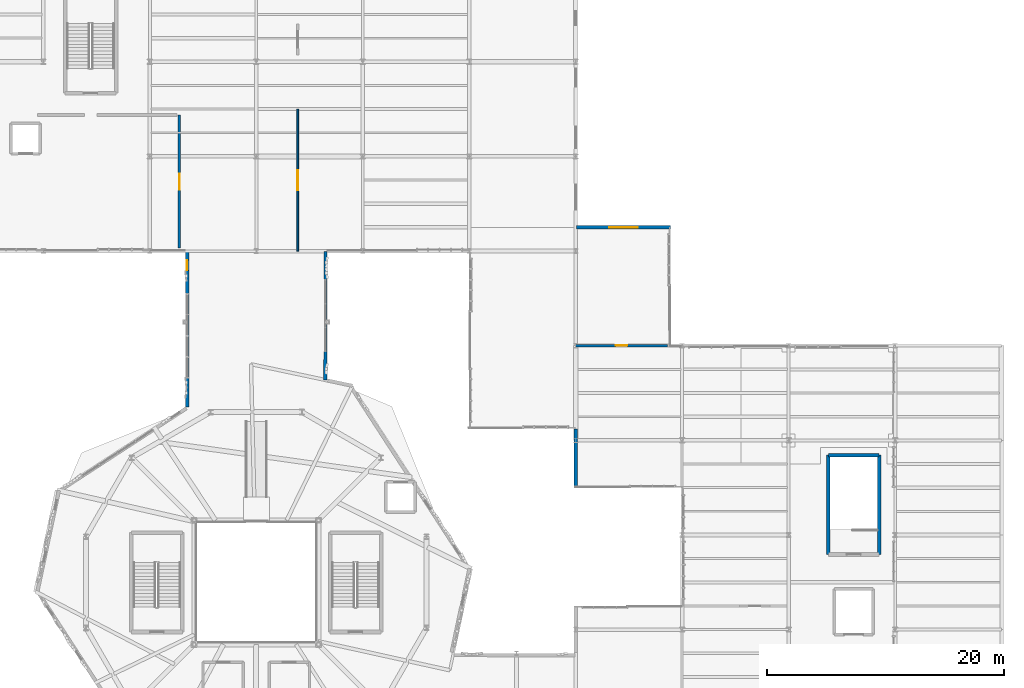
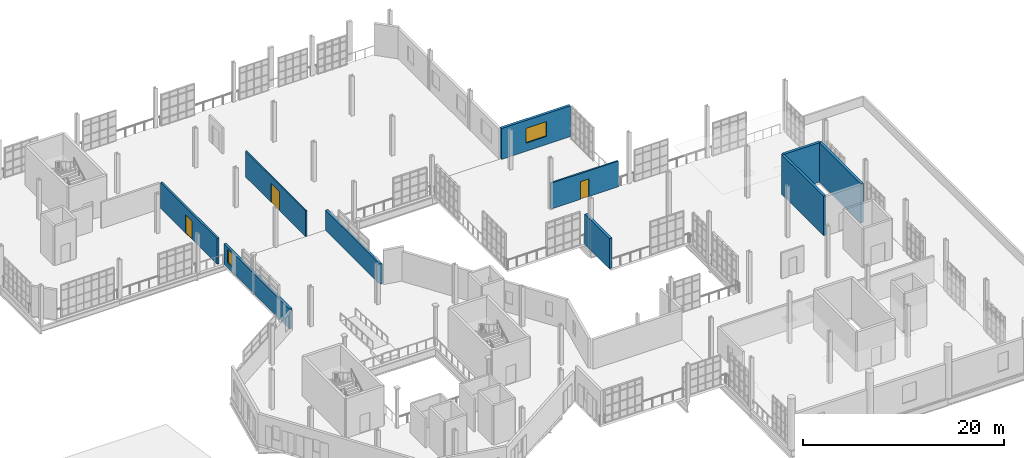
# One storey, part 105 of 118: 10 walls, 3 doors, 2 windows, 5 openings.
"""IFC4 building model written with IfcOpenShell, lengths in metres."""

from ifc_helpers import new_model, si_unit, direction, frame, frame_2d, origin, place, context, subcontext, project, spatial, rectangle, extrude, material, layer, layer_set, type_object, element, fill, save


model = new_model("IFC4")

# Units and contexts
model_context = context("Model", 3, precision=1e-05, world=origin(), true_north=direction((0.0, 1.0)))
body_context = subcontext(model_context, "Body", "Model", "MODEL_VIEW")
ifc_project = project(units=[si_unit("LENGTHUNIT", "METRE"), si_unit("AREAUNIT", "SQUARE_METRE"), si_unit("VOLUMEUNIT", "CUBIC_METRE"), si_unit("PLANEANGLEUNIT", "RADIAN"), si_unit("MASSUNIT", "GRAM", prefix="KILO"), si_unit("THERMODYNAMICTEMPERATUREUNIT", "KELVIN"), si_unit("POWERUNIT", "WATT")], contexts=[model_context])

# Site, building, storey
site_placement = place(None, origin())
site = spatial("IfcSite", under=ifc_project, at=site_placement, CompositionType="ELEMENT")
building_placement = place(site_placement, origin())
building = spatial("IfcBuilding", under=site, at=building_placement, Name="Zelmaris Science Centre", CompositionType="ELEMENT")
storey_placement = place(building_placement, frame((0.0, 0.0, 15.60009765625)))
storey = spatial("IfcBuildingStorey", under=building, at=storey_placement, Name="L03", CompositionType="ELEMENT", Elevation=15.60009765625)

# Walls
ifc_material_1 = material(Name="Concrete C40/50", Category="concrete")
ifc_layer_1 = layer(ifc_material_1, 0.300048828125, Name="Concrete C40/50")
ifc_layer_set_1 = layer_set([ifc_layer_1], Name="Concrete C40/50")
wall_type_1 = type_object("IfcWallType", Name="Core Shear Wall CW-S1 300mm", PredefinedType="SOLIDWALL", material=ifc_layer_set_1)
wall_1_placement = place(storey_placement, frame((133.64990234375, 38.35009765625, 0.0), z_axis=(0.0, 0.0, 1.0), x_axis=(0.0, 1.0, 0.0)))
element("IfcWall", 1, at=wall_1_placement, inside=storey, type_object=wall_type_1, Name="L03 ST-5 core shear wall east", PredefinedType="SOLIDWALL", context=body_context, shape_type="SweptSolid", body=[
    extrude(rectangle(XDim=8.39990234375, YDim=0.300048828125, at=frame_2d((4.199951171875, 0.0))), origin(), (0.0, 0.0, 1.0), 4.7998046875),
])
wall_2_placement = place(storey_placement, frame((133.64990234375, 46.75, 0.0), z_axis=(0.0, 0.0, 1.0), x_axis=(-1.0, 0.0, 0.0)))
element("IfcWall", 2, at=wall_2_placement, inside=storey, type_object=wall_type_1, Name="L03 ST-5 core shear wall far", PredefinedType="SOLIDWALL", context=body_context, shape_type="SweptSolid", body=[
    extrude(rectangle(XDim=4.2998046875, YDim=0.300048828125, at=frame_2d((2.14990234375, 0.0))), origin(), (0.0, 0.0, 1.0), 4.7998046875),
])
wall_3_placement = place(storey_placement, frame((129.35009765625, 38.35009765625, 0.0), z_axis=(0.0, 0.0, 1.0), x_axis=(0.0, 1.0, 0.0)))
element("IfcWall", 3, at=wall_3_placement, inside=storey, type_object=wall_type_1, Name="L03 ST-5 core shear wall west", PredefinedType="SOLIDWALL", context=body_context, shape_type="SweptSolid", body=[
    extrude(rectangle(XDim=8.39990234375, YDim=0.300048828125, at=frame_2d((4.199951171875, 0.0))), origin(), (0.0, 0.0, 1.0), 4.7998046875),
])

# Wall, opening, window
ifc_material_2 = material(Name="Precast concrete C40/50", Category="concrete")
ifc_layer_2 = layer(ifc_material_2, 0.300048828125, Name="Precast concrete C40/50")
ifc_layer_set_2 = layer_set([ifc_layer_2], Name="Precast concrete C40/50")
wall_type_2 = type_object("IfcWallType", Name="Exterior Wall EW-04 300mm", PredefinedType="SOLIDWALL", material=ifc_layer_set_2)
wall_4_placement = place(storey_placement, frame((108.06005859375, 66.0, 0.0), z_axis=(0.0, 0.0, 1.0), x_axis=(1.0, 0.0, 0.0)))
wall_4 = element("IfcWall", 4, at=wall_4_placement, inside=storey, type_object=wall_type_2, Name="L03 Exterior wall 121", PredefinedType="SOLIDWALL", context=body_context, shape_type="SweptSolid", body=[
    extrude(rectangle(XDim=7.93994140625, YDim=0.300048828125, at=frame_2d((3.969970703125, 0.0))), origin(), (0.0, 0.0, 1.0), 3.7578125),
])
opening_1_placement = place(wall_4_placement, frame((2.77001953125, 0.0, 1.0)))
opening_1 = element("IfcOpeningElement", 5, at=opening_1_placement, cuts=wall_4, Name="Opening W-05", PredefinedType="OPENING", context=body_context, shape_type="SweptSolid", body=[
    extrude(rectangle(XDim=2.39990234375, YDim=1.800048828125, at=frame_2d((1.199951171875, 0.89990234375))), frame((0.0, 0.159912109375, 0.0), z_axis=(0.0, -1.0, 0.0), x_axis=(1.0, 0.0, 0.0)), (0.0, 0.0, 1.0), 0.320068359375),
])
ifc_material_3 = material(Name="Laminated hurricane-rated low-E insulated glazing", Category="glass")
window_type_1 = type_object("IfcWindowType", Name="Window W-05 2400x1800", PartitioningType="SINGLE_PANEL", PredefinedType="WINDOW", material=ifc_material_3)
window_1_placement = place(opening_1_placement, origin())
window_1 = element("IfcWindow", 6, at=window_1_placement, inside=storey, type_object=window_type_1, Name="L03 Facade window 77", OverallHeight=1.800048828125, OverallWidth=2.39990234375, PartitioningType="SINGLE_PANEL", PredefinedType="WINDOW", context=body_context, shape_type="SweptSolid", body=[
    extrude(rectangle(XDim=2.39990234375, YDim=1.800048828125, at=frame_2d((1.199951171875, 0.89990234375))), frame((0.0, 0.030029296875, 0.0), z_axis=(0.0, -1.0, 0.0), x_axis=(1.0, 0.0, 0.0)), (0.0, 0.0, 1.0), 0.06005859375),
])
fill(opening_1, window_1)

# Wall
wall_5_placement = place(storey_placement, frame((108.0, 44.0, 0.0), z_axis=(0.0, 0.0, 1.0), x_axis=(0.0, 1.0, 0.0)))
element("IfcWall", 7, at=wall_5_placement, inside=storey, type_object=wall_type_2, Name="L03 Exterior wall 135", PredefinedType="SOLIDWALL", context=body_context, shape_type="SweptSolid", body=[
    extrude(rectangle(XDim=4.93994140625, YDim=0.300048828125, at=frame_2d((2.469970703125, 0.0))), origin(), (0.0, 0.0, 1.0), 3.673828125),
])

# Wall, opening, window
ifc_layer_3 = layer(ifc_material_2, 0.280029296875, Name="Precast concrete C40/50")
ifc_layer_set_3 = layer_set([ifc_layer_3], Name="Precast concrete C40/50")
wall_type_3 = type_object("IfcWallType", Name="Exterior Wall EW-05 280mm", PredefinedType="SOLIDWALL", material=ifc_layer_set_3)
wall_6_placement = place(storey_placement, frame((75.1552734375, 50.839111328125, 0.0), z_axis=(0.0, 0.0, 1.0), x_axis=(1.8602921e-05, 0.999999999827, 0.0)))
wall_6 = element("IfcWall", 8, at=wall_6_placement, inside=storey, type_object=wall_type_3, Name="L03 Exterior wall 129", PredefinedType="SOLIDWALL", context=body_context, shape_type="SweptSolid", body=[
    extrude(rectangle(XDim=13.123779296875, YDim=0.280029296875, at=frame_2d((6.56201171875, 0.0))), origin(), (0.0, 0.0, 1.0), 2.449951171875),
])
opening_2_placement = place(wall_6_placement, frame((11.536865234375, 0.0, 0.60009765625)))
opening_2 = element("IfcOpeningElement", 9, at=opening_2_placement, cuts=wall_6, Name="Opening W-TR3", PredefinedType="OPENING", context=body_context, shape_type="SweptSolid", body=[
    extrude(rectangle(XDim=0.85009765625, YDim=1.60009765625, at=frame_2d((0.425048828125, 0.800048828125))), frame((0.0, 0.14990234375, 0.0), z_axis=(0.0, -1.0, 0.0), x_axis=(1.0, 0.0, 0.0)), (0.0, 0.0, 1.0), 0.300048828125),
])
window_type_2 = type_object("IfcWindowType", Name="Window W-TR3 850x1600", PartitioningType="SINGLE_PANEL", PredefinedType="WINDOW", material=ifc_material_3)
window_2_placement = place(opening_2_placement, origin())
window_2 = element("IfcWindow", 10, at=window_2_placement, inside=storey, type_object=window_type_2, Name="L03 Triangular faceted window 90", OverallHeight=1.60009765625, OverallWidth=0.85009765625, PartitioningType="SINGLE_PANEL", PredefinedType="WINDOW", context=body_context, shape_type="SweptSolid", body=[
    extrude(rectangle(XDim=0.85009765625, YDim=1.60009765625, at=frame_2d((0.425048828125, 0.800048828125))), frame((0.0, 0.030029296875, 0.0), z_axis=(0.0, -1.0, 0.0), x_axis=(1.0, 0.0, 0.0)), (0.0, 0.0, 1.0), 0.06005859375),
])
fill(opening_2, window_2)

# Wall
wall_7_placement = place(storey_placement, frame((86.853515625, 63.978271484375, 0.0), z_axis=(0.0, 0.0, 1.0), x_axis=(-0.001144986004, -0.999999344503, 0.0)))
element("IfcWall", 11, at=wall_7_placement, inside=storey, type_object=wall_type_3, Name="L03 Exterior wall 136", PredefinedType="SOLIDWALL", context=body_context, shape_type="SweptSolid", body=[
    extrude(rectangle(XDim=10.87451171875, YDim=0.280029296875, at=frame_2d((5.437255859375, 0.0))), origin(), (0.0, 0.0, 1.0), 2.449951171875),
])

# Wall, opening, door
ifc_material_4 = material(Name="Autoclaved aerated concrete blockwork", Category="masonry")
ifc_layer_4 = layer(ifc_material_4, 0.219970703125, Name="Autoclaved aerated concrete blockwork")
ifc_layer_set_4 = layer_set([ifc_layer_4], Name="Autoclaved aerated concrete blockwork")
wall_type_4 = type_object("IfcWallType", Name="Interior Wall FW-02 220mm", PredefinedType="SOLIDWALL", material=ifc_layer_set_4)
wall_8_placement = place(storey_placement, frame((74.5, 75.5, 0.0), z_axis=(0.0, 0.0, 1.0), x_axis=(0.0, -1.0, 0.0)))
wall_8 = element("IfcWall", 12, at=wall_8_placement, inside=storey, type_object=wall_type_4, Name="L03 Astrophysics and Spectroscopy Teaching Laboratory partition 62", PredefinedType="SOLIDWALL", context=body_context, shape_type="SweptSolid", body=[
    extrude(rectangle(XDim=11.25, YDim=0.219970703125, at=frame_2d((5.625, 0.0))), origin(), (0.0, 0.0, 1.0), 3.14990234375),
])
opening_3_placement = place(wall_8_placement, frame((4.949951171875, 0.0, 0.0)))
opening_3 = element("IfcOpeningElement", 13, at=opening_3_placement, cuts=wall_8, Name="Opening D-IN7", PredefinedType="OPENING", context=body_context, shape_type="SweptSolid", body=[
    extrude(rectangle(XDim=1.35009765625, YDim=2.199951171875, at=frame_2d((0.675048828125, 1.10009765625))), frame((0.0, 0.119873046875, 0.0), z_axis=(0.0, -1.0, 0.0), x_axis=(1.0, 0.0, 0.0)), (0.0, 0.0, 1.0), 0.239990234375),
])
ifc_material_5 = material(Name="Solid tropical tzalam hardwood", Category="wood")
door_type_1 = type_object("IfcDoorType", Name="Interior Door D-IN7 1350x2200", OperationType="NOTDEFINED", PredefinedType="DOOR", material=ifc_material_5)
door_1_placement = place(opening_3_placement, origin())
door_1 = element("IfcDoor", 14, at=door_1_placement, inside=storey, type_object=door_type_1, Name="L03 Astrophysics and Spectroscopy Teaching Laboratory door", OperationType="SINGLE_SWING_LEFT", OverallHeight=2.199951171875, OverallWidth=1.35009765625, PredefinedType="DOOR", context=body_context, shape_type="SweptSolid", body=[
    extrude(rectangle(XDim=1.35009765625, YDim=2.199951171875, at=frame_2d((0.675048828125, 1.10009765625))), frame((0.0, 0.02490234375, 0.0), z_axis=(0.0, -1.0, 0.0), x_axis=(1.0, 0.0, 0.0)), (0.0, 0.0, 1.0), 0.050048828125),
])
fill(opening_3, door_1)

ifc_material_6 = material(Name="Fire-rated gypsum board on steel studs", Category="steel")
ifc_layer_5 = layer(ifc_material_6, 0.14990234375, Name="Fire-rated gypsum board on steel studs")
ifc_layer_set_5 = layer_set([ifc_layer_5], Name="Fire-rated gypsum board on steel studs")
wall_type_5 = type_object("IfcWallType", Name="Interior Wall PT-01 150mm", PredefinedType="PARTITIONING", material=ifc_layer_set_5)
wall_9_placement = place(storey_placement, frame((84.5048828125, 64.0, 0.0), z_axis=(0.0, 0.0, 1.0), x_axis=(0.0, 1.0, 0.0)))
wall_9 = element("IfcWall", 15, at=wall_9_placement, inside=storey, type_object=wall_type_5, Name="L03 Observatory Academic Seminar Room partition 65", PredefinedType="PARTITIONING", context=body_context, shape_type="SweptSolid", body=[
    extrude(rectangle(XDim=12.0, YDim=0.14990234375, at=frame_2d((6.0, 0.0))), origin(), (0.0, 0.0, 1.0), 3.14990234375),
])
opening_4_placement = place(wall_9_placement, frame((5.14990234375, 0.0, 0.0)))
opening_4 = element("IfcOpeningElement", 16, at=opening_4_placement, cuts=wall_9, Name="Opening D-IN8", PredefinedType="OPENING", context=body_context, shape_type="SweptSolid", body=[
    extrude(rectangle(XDim=1.699951171875, YDim=2.300048828125, at=frame_2d((0.85009765625, 1.14990234375))), frame((0.0, 0.0849609375, 0.0), z_axis=(0.0, -1.0, 0.0), x_axis=(1.0, 0.0, 0.0)), (0.0, 0.0, 1.0), 0.169921875),
])
door_type_2 = type_object("IfcDoorType", Name="Interior Door D-IN8 1700x2300", OperationType="NOTDEFINED", PredefinedType="DOOR", material=ifc_material_5)
door_2_placement = place(opening_4_placement, origin())
door_2 = element("IfcDoor", 17, at=door_2_placement, inside=storey, type_object=door_type_2, Name="L03 Observatory Academic Seminar Room door", OperationType="SINGLE_SWING_RIGHT", OverallHeight=2.300048828125, OverallWidth=1.699951171875, PredefinedType="DOOR", context=body_context, shape_type="SweptSolid", body=[
    extrude(rectangle(XDim=1.699951171875, YDim=2.300048828125, at=frame_2d((0.85009765625, 1.14990234375))), frame((0.0, 0.02490234375, 0.0), z_axis=(0.0, -1.0, 0.0), x_axis=(1.0, 0.0, 0.0)), (0.0, 0.0, 1.0), 0.050048828125),
])
fill(opening_4, door_2)

ifc_layer_6 = layer(ifc_material_4, 0.179931640625, Name="Autoclaved aerated concrete blockwork")
ifc_layer_set_6 = layer_set([ifc_layer_6], Name="Autoclaved aerated concrete blockwork")
wall_type_6 = type_object("IfcWallType", Name="Interior Wall PT-04 180mm", PredefinedType="PARTITIONING", material=ifc_layer_set_6)
wall_10_placement = place(storey_placement, frame((108.0, 56.0, 0.0), z_axis=(0.0, 0.0, 1.0), x_axis=(1.0, 0.0, 0.0)))
wall_10 = element("IfcWall", 18, at=wall_10_placement, inside=storey, type_object=wall_type_6, Name="L03 L03 Accessible WC partition 61", PredefinedType="PARTITIONING", context=body_context, shape_type="SweptSolid", body=[
    extrude(rectangle(XDim=7.75, YDim=0.179931640625, at=frame_2d((3.875, 0.0))), origin(), (0.0, 0.0, 1.0), 3.14990234375),
])
opening_5_placement = place(wall_10_placement, frame((3.39990234375, 0.0, 0.0)))
opening_5 = element("IfcOpeningElement", 19, at=opening_5_placement, cuts=wall_10, Name="Opening D-IN2", PredefinedType="OPENING", context=body_context, shape_type="SweptSolid", body=[
    extrude(rectangle(XDim=0.949951171875, YDim=2.14990234375, at=frame_2d((0.47509765625, 1.074951171875))), frame((0.0, 0.099853515625, 0.0), z_axis=(0.0, -1.0, 0.0), x_axis=(1.0, 0.0, 0.0)), (0.0, 0.0, 1.0), 0.199951171875),
])
door_type_3 = type_object("IfcDoorType", Name="Interior Door D-IN2 950x2150", OperationType="NOTDEFINED", PredefinedType="DOOR", material=ifc_material_5)
door_3_placement = place(opening_5_placement, origin())
door_3 = element("IfcDoor", 20, at=door_3_placement, inside=storey, type_object=door_type_3, Name="L03 L03 Accessible WC door", OperationType="SINGLE_SWING_RIGHT", OverallHeight=2.14990234375, OverallWidth=0.949951171875, PredefinedType="DOOR", context=body_context, shape_type="SweptSolid", body=[
    extrude(rectangle(XDim=0.949951171875, YDim=2.14990234375, at=frame_2d((0.47509765625, 1.074951171875))), frame((0.0, 0.02490234375, 0.0), z_axis=(0.0, -1.0, 0.0), x_axis=(1.0, 0.0, 0.0)), (0.0, 0.0, 1.0), 0.050048828125),
])
fill(opening_5, door_3)

save(model, "model.ifc")
